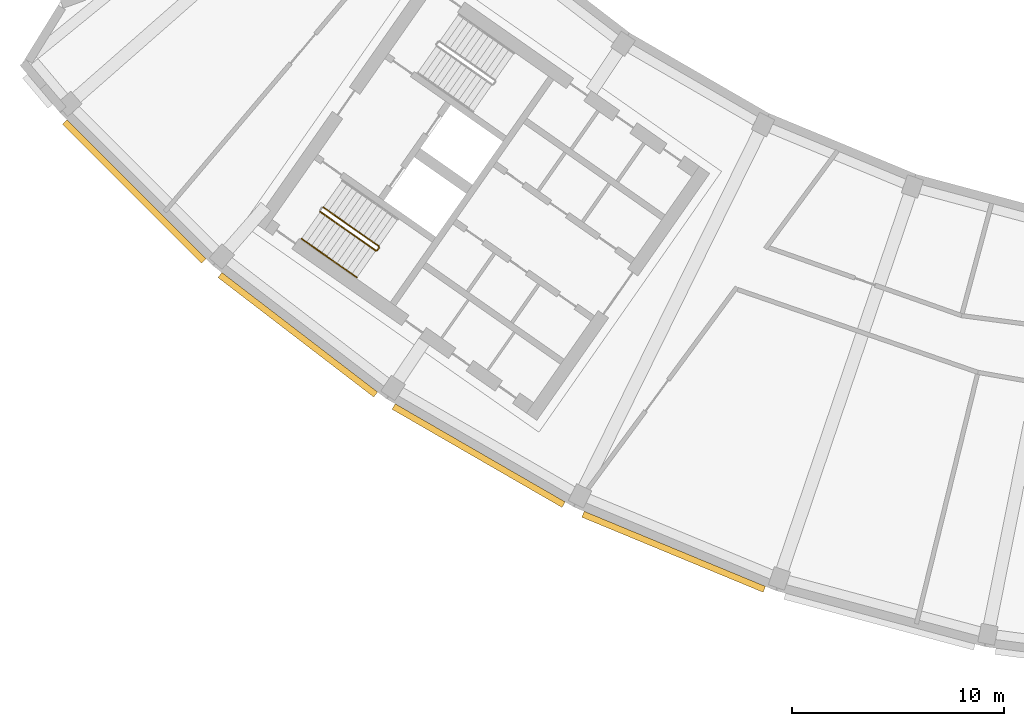
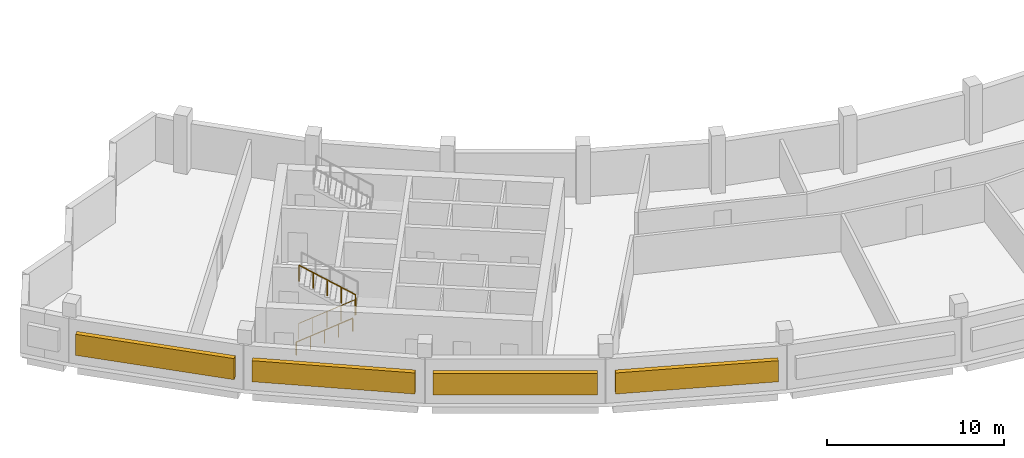
# One storey, part 8 of 11: 4 shading devices, 3 railings.
"""IFC4 building model written with IfcOpenShell, lengths in metres."""

import ifcopenshell
import ifcopenshell.guid

model = None  # the IFC model being written
_history = None  # IfcOwnerHistory: only IFC2X3 demands one
_inside = {}  # id of a spatial element -> (the spatial element, [elements in it])
_under = {}  # id of a project, library or spatial element -> (it, [spatial elements below it])
_declared = {}  # id of a project -> (the project, [libraries it declares])
_typed = {}  # id of a type object -> (the type object, [elements of that type])
_made_of = {}  # id of a material, layer set ... -> (it, [elements and type objects made of it])


def new_model(schema):
    """Start an empty IFC model of exactly this schema.

    Asked for "IFC4X3", IfcOpenShell would pick the latest addendum, in which some entities
    have other attributes; the version numbers below select the first issue.
    IFC2X3 requires an IfcOwnerHistory on every rooted entity: one is made here for all.
    """
    global model, _history
    if schema == "IFC4X3":
        model = ifcopenshell.file(schema_version=(4, 3, 0, 0))
    else:
        model = ifcopenshell.file(schema=schema)
    _inside.clear()
    _under.clear()
    _declared.clear()
    _typed.clear()
    _made_of.clear()
    _history = None
    if model.schema == "IFC2X3":
        org = make("IfcOrganization", Name="unknown")
        user = make(
            "IfcPersonAndOrganization",
            ThePerson=make("IfcPerson", FamilyName="unknown"),
            TheOrganization=org,
        )
        app = make(
            "IfcApplication",
            ApplicationDeveloper=org,
            Version="unknown",
            ApplicationFullName="unknown",
            ApplicationIdentifier="unknown",
        )
        _history = make(
            "IfcOwnerHistory",
            OwningUser=user,
            OwningApplication=app,
            ChangeAction="ADDED",
            CreationDate=0,
        )
    return model


def make(cls, **values):
    """One entity of the class cls with the attributes given. An attribute that is None is left unset."""
    return model.create_entity(
        cls, **{name: value for name, value in values.items() if value is not None}
    )


def rooted(cls, **values):
    """An entity with a GlobalId (a new one), such as an element, a storey or a relation."""
    return make(cls, GlobalId=ifcopenshell.guid.new(), OwnerHistory=_history, **values)


def si_unit(unit_type, name, prefix=None):
    """IfcSIUnit, for example si_unit("LENGTHUNIT", "METRE", prefix="MILLI")."""
    return make("IfcSIUnit", UnitType=unit_type, Prefix=prefix, Name=name)


def assignment(units):
    """IfcUnitAssignment: the units of a project."""
    return None if units is None else make("IfcUnitAssignment", Units=units)


def point(xyz):
    """IfcCartesianPoint."""
    return None if xyz is None else make("IfcCartesianPoint", Coordinates=xyz)


def direction(xyz):
    """IfcDirection."""
    return None if xyz is None else make("IfcDirection", DirectionRatios=xyz)


def frame(location, z_axis=None, x_axis=None):
    """IfcAxis2Placement3D, a coordinate frame: its origin and axes. An axis left out is left unset."""
    return make(
        "IfcAxis2Placement3D",
        Location=point(location),
        Axis=direction(z_axis),
        RefDirection=direction(x_axis),
    )


def frame_2d(location, x_axis=None):
    """IfcAxis2Placement2D, a coordinate frame in the plane: its origin and x axis."""
    return make(
        "IfcAxis2Placement2D", Location=point(location), RefDirection=direction(x_axis)
    )


def origin():
    """The frame at (0, 0, 0) with its axes left unset."""
    return frame((0.0, 0.0, 0.0))


def origin_2d():
    """The frame at (0, 0) in the plane with its x axis left unset."""
    return frame_2d((0.0, 0.0))


def place(relative_to, where):
    """IfcLocalPlacement: puts the frame where relative to a parent placement (None: the world)."""
    return make(
        "IfcLocalPlacement", PlacementRelTo=relative_to, RelativePlacement=where
    )


def context(
    kind, dimensions, precision=None, world=None, true_north=None, identifier=None
):
    """IfcGeometricRepresentationContext, for example the 3D "Model" context."""
    return make(
        "IfcGeometricRepresentationContext",
        ContextIdentifier=identifier,
        ContextType=kind,
        CoordinateSpaceDimension=dimensions,
        Precision=precision,
        WorldCoordinateSystem=world,
        TrueNorth=true_north,
    )


def subcontext(parent, identifier, kind, view, scale=None):
    """IfcGeometricRepresentationSubContext, for example "Body" below "Model"."""
    return make(
        "IfcGeometricRepresentationSubContext",
        ContextIdentifier=identifier,
        ContextType=kind,
        ParentContext=parent,
        TargetScale=scale,
        TargetView=view,
    )


def project(units=None, contexts=None):
    """IfcProject with its units and contexts."""
    return rooted(
        "IfcProject",
        Name="project",
        RepresentationContexts=contexts,
        UnitsInContext=assignment(units),
    )


def spatial(cls, under=None, at=None, **own):
    """A site, building, storey or space (cls), placed at a placement, below another one or the project."""
    s = rooted(cls, ObjectPlacement=at, **own)
    if under is not None:
        _under.setdefault(under.id(), (under, []))[1].append(s)
    return s


def profile(cls, at=None, kind="AREA", **sizes):
    """A parametric profile (cls). Its sizes go by their IFC names, for example OverallWidth=200.0."""
    return make(cls, ProfileType=kind, Position=at, **sizes)


def rectangle(**sizes):
    """IfcRectangleProfileDef."""
    return profile("IfcRectangleProfileDef", **sizes)


def circle(**sizes):
    """IfcCircleProfileDef."""
    return profile("IfcCircleProfileDef", **sizes)


def extrude(swept, where, along, depth):
    """IfcExtrudedAreaSolid: the profile swept, set in the frame where, extruded along a direction by depth."""
    return make(
        "IfcExtrudedAreaSolid",
        SweptArea=swept,
        Position=where,
        ExtrudedDirection=direction(along),
        Depth=depth,
    )


def shape(context_of_items, identifier, shape_type, items):
    """IfcShapeRepresentation: the items that make up one representation, for example the "Body"."""
    return make(
        "IfcShapeRepresentation",
        ContextOfItems=context_of_items,
        RepresentationIdentifier=identifier,
        RepresentationType=shape_type,
        Items=items,
    )


def material(Name=None, Category=None):
    """IfcMaterial."""
    return make("IfcMaterial", Name=Name, Category=Category)


def made_of(thing, what):
    """Note that an element or type object is made of a material, layer set ...; save() writes the relation."""
    if what is not None:
        _made_of.setdefault(what.id(), (what, []))[1].append(thing)
    return thing


def type_object(cls, material=None, **own):
    """A type object (cls), such as IfcWallType, which elements share."""
    return made_of(rooted(cls, **own), material)


def element(
    cls,
    number,
    at=None,
    inside=None,
    cuts=None,
    type_object=None,
    material=None,
    context=None,
    identifier="Body",
    shape_type=None,
    held_by="IfcProductDefinitionShape",
    body=None,
    shapes=None,
    **own,
):
    """One element of the class cls, such as IfcWall. Its Tag is "e" and its number.

    at: its placement. inside: the storey or other place that contains it. cuts: it is an
    opening in that element (IfcRelVoidsElement). A single representation is given by context,
    identifier, shape_type and body (its items); several are given by shapes. held_by: the class
    of the entity that holds the representations. save() writes the other relations.
    """
    e = rooted(cls, Tag="e%d" % number, ObjectPlacement=at, **own)
    if body is not None:
        shapes = [shape(context, identifier, shape_type, body)]
    if shapes is not None:
        e.Representation = make(held_by, Representations=shapes)
    if inside is not None:
        _inside.setdefault(inside.id(), (inside, []))[1].append(e)
    if cuts is not None:
        rooted(
            "IfcRelVoidsElement", RelatingBuildingElement=cuts, RelatedOpeningElement=e
        )
    if type_object is not None:
        _typed.setdefault(type_object.id(), (type_object, []))[1].append(e)
    return made_of(e, material)


def aggregate(whole, parts):
    """IfcRelAggregates: a whole, such as a stair, and the parts it consists of."""
    return rooted("IfcRelAggregates", RelatingObject=whole, RelatedObjects=parts)


def save(model, path):
    """Write the relations noted so far, then the file.

    IfcRelAggregates (storeys below a building ...), IfcRelContainedInSpatialStructure (elements
    in a storey), IfcRelDefinesByType, IfcRelAssociatesMaterial and IfcRelDeclares: one each for
    every whole, place, type object, material and project.
    """
    for whole, parts in _under.values():
        aggregate(whole, parts)
    for where, things in _inside.values():
        rooted(
            "IfcRelContainedInSpatialStructure",
            RelatedElements=things,
            RelatingStructure=where,
        )
    for kind, things in _typed.values():
        rooted("IfcRelDefinesByType", RelatedObjects=things, RelatingType=kind)
    for what, things in _made_of.values():
        rooted("IfcRelAssociatesMaterial", RelatedObjects=things, RelatingMaterial=what)
    for by, libraries in _declared.values():
        rooted("IfcRelDeclares", RelatingContext=by, RelatedDefinitions=libraries)
    model.write(path)


model = new_model("IFC4")

# Units and contexts
model_context = context("Model", 3, precision=1e-05, world=origin(), true_north=direction((0.0, 1.0)))
body_context = subcontext(model_context, "Body", "Model", "MODEL_VIEW")
ifc_project = project(units=[si_unit("LENGTHUNIT", "METRE"), si_unit("AREAUNIT", "SQUARE_METRE"), si_unit("VOLUMEUNIT", "CUBIC_METRE"), si_unit("PLANEANGLEUNIT", "RADIAN"), si_unit("MASSUNIT", "GRAM", prefix="KILO")], contexts=[model_context])

# Site, building, storey
site_placement = place(None, origin())
site = spatial("IfcSite", under=ifc_project, at=site_placement, CompositionType="ELEMENT")
building_placement = place(site_placement, origin())
building = spatial("IfcBuilding", under=site, at=building_placement, Name="Qamariyya Broadcast Tower", CompositionType="ELEMENT")
storey_placement = place(building_placement, frame((0.0, 0.0, 302.699951171875)))
storey = spatial("IfcBuildingStorey", under=building, at=storey_placement, Name="L73", CompositionType="ELEMENT", Elevation=302.699951171875)

# Railings
ifc_material_1 = material(Name="Painted steel", Category="steel")
railing_type_1 = type_object("IfcRailingType", Name="Stair guard", PredefinedType="GUARDRAIL", material=ifc_material_1)
railing_1_placement = place(storey_placement, frame((-46.624267578125, -56.34765625, 0.166748046875)))
element("IfcRailing", 1, at=railing_1_placement, inside=storey, type_object=railing_type_1, Name="L73 ST-W1 stair guard 1", PredefinedType="GUARDRAIL", context=body_context, shape_type="SweptSolid", body=[
    extrude(circle(Radius=0.02392578125, at=origin_2d()), frame((0.0, 0.0, 1.076171875), z_axis=(0.710204256923, -0.497335411159, 0.498264389913), x_axis=(0.573611290809, 0.819127637829, 0.0)), (0.0, 0.0, 1.0), 3.67919921875),
    extrude(circle(Radius=0.02392578125, at=origin_2d()), frame((2.613037109375, -1.829833984375, 2.9091796875), z_axis=(0.984957024646, 0.172799478008, 0.0), x_axis=(-0.172799478008, 0.984957024646, 0.0)), (0.0, 0.0, 1.0), 0.070556640625),
    extrude(circle(Radius=0.02392578125, at=origin_2d()), frame((2.6826171875, -1.817626953125, 2.9091796875), z_axis=(0.57368046593, 0.819079192149, 0.0), x_axis=(-0.819079192149, 0.57368046593, 0.0)), (0.0, 0.0, 1.0), 0.150146484375),
    extrude(circle(Radius=0.02099609375, at=origin_2d()), origin(), (0.0, 0.0, 1.0), 1.052001953125),
    extrude(circle(Radius=0.02099609375, at=origin_2d()), frame((0.6533203125, -0.45751953125, 0.458251953125)), (0.0, 0.0, 1.0), 1.052001953125),
    extrude(circle(Radius=0.02099609375, at=origin_2d()), frame((1.306640625, -0.9150390625, 0.91650390625)), (0.0, 0.0, 1.0), 1.052001953125),
    extrude(circle(Radius=0.02099609375, at=origin_2d()), frame((1.959716796875, -1.372314453125, 1.375)), (0.0, 0.0, 1.0), 1.052001953125),
    extrude(circle(Radius=0.02099609375, at=origin_2d()), frame((2.613037109375, -1.829833984375, 1.833251953125)), (0.0, 0.0, 1.0), 1.052001953125),
    extrude(circle(Radius=0.02099609375, at=origin_2d()), frame((2.6826171875, -1.817626953125, 1.833251953125)), (0.0, 0.0, 1.0), 1.052001953125),
    extrude(circle(Radius=0.02099609375, at=origin_2d()), frame((2.768798828125, -1.694580078125, 1.833251953125)), (0.0, 0.0, 1.0), 1.052001953125),
])
railing_2_placement = place(storey_placement, frame((-43.867919921875, -57.97265625, 2.166748046875)))
element("IfcRailing", 2, at=railing_2_placement, inside=storey, type_object=railing_type_1, Name="L73 ST-W1 stair guard 2", PredefinedType="GUARDRAIL", context=body_context, shape_type="SweptSolid", body=[
    extrude(circle(Radius=0.02392578125, at=origin_2d()), frame((0.0, 0.0, 1.076171875), z_axis=(-0.710227693972, 0.497285465629, 0.498280832854), x_axis=(-0.573559936391, -0.819163597438, 0.0)), (0.0, 0.0, 1.0), 3.67919921875),
    extrude(circle(Radius=0.02099609375, at=origin_2d()), origin(), (0.0, 0.0, 1.0), 1.052001953125),
    extrude(circle(Radius=0.02099609375, at=origin_2d()), frame((-0.6533203125, 0.45751953125, 0.458251953125)), (0.0, 0.0, 1.0), 1.052001953125),
    extrude(circle(Radius=0.02099609375, at=origin_2d()), frame((-1.306640625, 0.914794921875, 0.91650390625)), (0.0, 0.0, 1.0), 1.052001953125),
    extrude(circle(Radius=0.02099609375, at=origin_2d()), frame((-1.959716796875, 1.3720703125, 1.375)), (0.0, 0.0, 1.0), 1.052001953125),
    extrude(circle(Radius=0.02099609375, at=origin_2d()), frame((-2.613037109375, 1.82958984375, 1.833251953125)), (0.0, 0.0, 1.0), 1.052001953125),
])
ifc_material_2 = material(Name="Stainless steel", Category="steel")
railing_type_2 = type_object("IfcRailingType", Name="Stair handrail", PredefinedType="HANDRAIL", material=ifc_material_2)
railing_3_placement = place(storey_placement, frame((-47.513427734375, -57.617431640625, 0.166748046875)))
element("IfcRailing", 3, at=railing_3_placement, inside=storey, type_object=railing_type_2, Name="L73 ST-W1 stair handrail 1", PredefinedType="HANDRAIL", context=body_context, shape_type="SweptSolid", body=[
    extrude(circle(Radius=0.02392578125, at=origin_2d()), frame((0.0, 0.0, 0.8759765625), z_axis=(0.710204256923, -0.497335411159, 0.498264389913), x_axis=(0.573611290809, 0.819127637829, 0.0)), (0.0, 0.0, 1.0), 3.67919921875),
    extrude(circle(Radius=0.02099609375, at=origin_2d()), origin(), (0.0, 0.0, 1.0), 0.851806640625),
    extrude(circle(Radius=0.02099609375, at=origin_2d()), frame((0.6533203125, -0.45751953125, 0.458251953125)), (0.0, 0.0, 1.0), 0.851806640625),
    extrude(circle(Radius=0.02099609375, at=origin_2d()), frame((1.306640625, -0.9150390625, 0.91650390625)), (0.0, 0.0, 1.0), 0.851806640625),
    extrude(circle(Radius=0.02099609375, at=origin_2d()), frame((1.959716796875, -1.372314453125, 1.375)), (0.0, 0.0, 1.0), 0.851806640625),
    extrude(circle(Radius=0.02099609375, at=origin_2d()), frame((2.613037109375, -1.829833984375, 1.833251953125)), (0.0, 0.0, 1.0), 0.851806640625),
])

# Shading devices
ifc_material_3 = material(Name="Glazed terracotta", Category="masonry")
shading_device_type = type_object("IfcShadingDeviceType", Name="Terracotta louvre bank", PredefinedType="USERDEFINED", material=ifc_material_3)
for number, where, z_axis, x_axis, name in (
    (4, (-55.38916015625, -55.38916015625, 0.80029296875), (0.0, 0.0, 1.0), (0.707106781187, -0.707106781187, 0.0), "e-lv-L73-01"),
    (5, (-47.685546875, -62.145263671875, 0.80029296875), (0.0, 0.0, 1.0), (0.793353340291, -0.608761429009, 0.0), "e-lv-L73-02"),
    (6, (-39.166015625, -67.837646484375, 0.80029296875), (0.0, 0.0, 1.0), (0.866025403784, -0.5, 0.0), "e-lv-L73-03"),
    (7, (-29.9765625, -72.36962890625, 0.80029296875), (0.0, 0.0, 1.0), (0.923879532511, -0.382683432365, 0.0), "e-lv-L73-04"),
):
    element("IfcShadingDevice", number, at=place(storey_placement, frame(where, z_axis=z_axis, x_axis=x_axis)), inside=storey, type_object=shading_device_type, Name=name, ObjectType="LOUVRE", PredefinedType="USERDEFINED", context=body_context, shape_type="SweptSolid", body=[
        extrude(rectangle(XDim=9.248779296875, YDim=0.300048828125, at=origin_2d()), origin(), (0.0, 0.0, 1.0), 1.449951171875),
    ])

save(model, "model.ifc")
